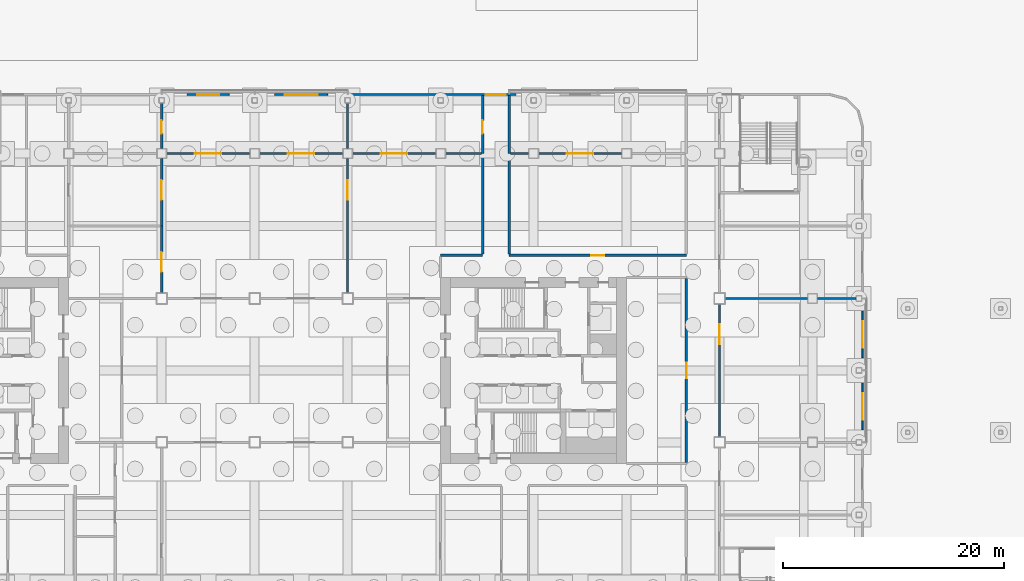
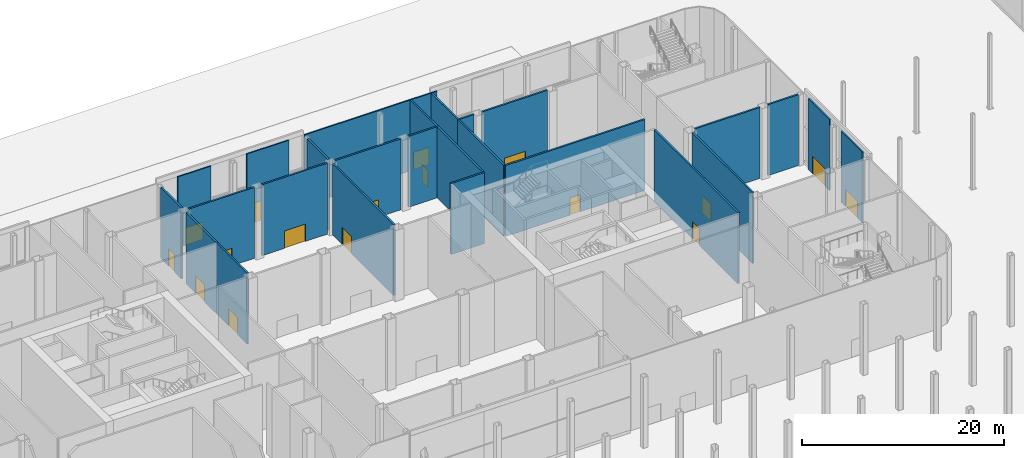
# One storey, part 42 of 113: 26 walls, 17 doors, 17 openings.
"""IFC4 building model written with IfcOpenShell, lengths in metres."""

from ifc_helpers import new_model, si_unit, direction, frame, frame_2d, origin, place, context, subcontext, project, spatial, rectangle, extrude, material, layer, layer_set, type_object, element, fill, save


model = new_model("IFC4")

# Units and contexts
model_context = context("Model", 3, precision=1e-05, world=origin(), true_north=direction((0.0, 1.0)))
body_context = subcontext(model_context, "Body", "Model", "MODEL_VIEW")
ifc_project = project(units=[si_unit("LENGTHUNIT", "METRE"), si_unit("AREAUNIT", "SQUARE_METRE"), si_unit("VOLUMEUNIT", "CUBIC_METRE"), si_unit("PLANEANGLEUNIT", "RADIAN"), si_unit("MASSUNIT", "GRAM", prefix="KILO")], contexts=[model_context])

# Site, building, storey
site_placement = place(None, origin())
site = spatial("IfcSite", under=ifc_project, at=site_placement, CompositionType="ELEMENT")
building_placement = place(site_placement, origin())
building = spatial("IfcBuilding", under=site, at=building_placement, Name="Hakoniwa Tower and Hamabe Station Hall", CompositionType="ELEMENT")
storey_placement = place(building_placement, origin())
storey = spatial("IfcBuildingStorey", under=building, at=storey_placement, Name="L01", CompositionType="ELEMENT", Elevation=0.0)

# Wall, opening, door
ifc_material_1 = material(Name="Dark glass-faced aluminium panel", Category="aluminium")
ifc_layer_1 = layer(ifc_material_1, 0.14990234375)
ifc_layer_set_1 = layer_set([ifc_layer_1], Name="EXTERNAL WALL 150 EI 60")
wall_type_1 = type_object("IfcWallType", Name="EXTERNAL WALL 150 EI 60", PredefinedType="STANDARD", material=ifc_layer_set_1)
wall_1_placement = place(storey_placement, frame((-6.10009765625, 24.925048828125, 0.0), z_axis=(0.0, 0.0, 1.0), x_axis=(1.0, 0.0, 0.0)))
wall_1 = element("IfcWall", 1, at=wall_1_placement, inside=storey, type_object=wall_type_1, Name="External wall L01 12-4", PredefinedType="STANDARD", context=body_context, shape_type="SweptSolid", body=[
    extrude(rectangle(XDim=3.800048828125, YDim=0.14990234375, at=frame_2d((1.89990234375, 0.0))), origin(), (0.0, 0.0, 1.0), 8.60009765625),
])
opening_1_placement = place(wall_1_placement, frame((0.89990234375, 0.0, 0.0)))
opening_1 = element("IfcOpeningElement", 2, at=opening_1_placement, cuts=wall_1, Name="Opening ED-N-01", PredefinedType="OPENING", context=body_context, shape_type="SweptSolid", body=[
    extrude(rectangle(XDim=2.0, YDim=2.10009765625, at=frame_2d((1.0, 1.050048828125))), frame((0.0, 0.0849609375, 0.0), z_axis=(0.0, -1.0, 0.0), x_axis=(1.0, 0.0, 0.0)), (0.0, 0.0, 1.0), 0.169921875),
])
ifc_material_2 = material(Name="Glazed aluminium door", Category="aluminium")
door_type_1 = type_object("IfcDoorType", Name="DOUBLE GLAZED DOOR 2000X2100", OperationType="DOUBLE_DOOR_DOUBLE_SWING", PredefinedType="DOOR", material=ifc_material_2)
door_1_placement = place(opening_1_placement, origin())
door_1 = element("IfcDoor", 3, at=door_1_placement, inside=storey, type_object=door_type_1, Name="Entrance door", OperationType="DOUBLE_DOOR_DOUBLE_SWING", OverallHeight=2.10009765625, OverallWidth=2.0, PredefinedType="DOOR", context=body_context, shape_type="SweptSolid", body=[
    extrude(rectangle(XDim=2.0, YDim=2.10009765625, at=frame_2d((1.0, 1.050048828125))), frame((0.0, 0.02490234375, 0.0), z_axis=(0.0, -1.0, 0.0), x_axis=(1.0, 0.0, 0.0)), (0.0, 0.0, 1.0), 0.050048828125),
])
fill(opening_1, door_1)

wall_2_placement = place(storey_placement, frame((1.800048828125, 24.925048828125, 0.0), z_axis=(0.0, 0.0, 1.0), x_axis=(1.0, 0.0, 0.0)))
wall_2 = element("IfcWall", 4, at=wall_2_placement, inside=storey, type_object=wall_type_1, Name="External wall L01 12-5", PredefinedType="STANDARD", context=body_context, shape_type="SweptSolid", body=[
    extrude(rectangle(XDim=4.800048828125, YDim=0.14990234375, at=frame_2d((2.39990234375, 0.0))), origin(), (0.0, 0.0, 1.0), 8.60009765625),
])
opening_2_placement = place(wall_2_placement, frame((0.89990234375, 0.0, 0.0)))
opening_2 = element("IfcOpeningElement", 5, at=opening_2_placement, cuts=wall_2, Name="Opening ED-N-02", PredefinedType="OPENING", context=body_context, shape_type="SweptSolid", body=[
    extrude(rectangle(XDim=3.0, YDim=2.39990234375, at=frame_2d((1.5, 1.199951171875))), frame((0.0, 0.0849609375, 0.0), z_axis=(0.0, -1.0, 0.0), x_axis=(1.0, 0.0, 0.0)), (0.0, 0.0, 1.0), 0.169921875),
])
ifc_material_3 = material(Name="Glazed aluminium door", Category="aluminium")
door_type_2 = type_object("IfcDoorType", Name="REVOLVING DOOR 3000X2400", OperationType="REVOLVING", PredefinedType="DOOR", material=ifc_material_3)
door_2_placement = place(opening_2_placement, origin())
door_2 = element("IfcDoor", 6, at=door_2_placement, inside=storey, type_object=door_type_2, Name="Entrance door", OperationType="REVOLVING", OverallHeight=2.39990234375, OverallWidth=3.0, PredefinedType="DOOR", context=body_context, shape_type="SweptSolid", body=[
    extrude(rectangle(XDim=3.0, YDim=2.39990234375, at=frame_2d((1.5, 1.199951171875))), frame((0.0, 0.02490234375, 0.0), z_axis=(0.0, -1.0, 0.0), x_axis=(1.0, 0.0, 0.0)), (0.0, 0.0, 1.0), 0.050048828125),
])
fill(opening_2, door_2)

wall_3_placement = place(storey_placement, frame((8.39990234375, 24.925048828125, 0.0), z_axis=(0.0, 0.0, 1.0), x_axis=(1.0, 0.0, 0.0)))
wall_3 = element("IfcWall", 7, at=wall_3_placement, inside=storey, type_object=wall_type_1, Name="External wall L01 12-6", PredefinedType="STANDARD", context=body_context, shape_type="SweptSolid", body=[
    extrude(rectangle(XDim=15.2001953125, YDim=0.14990234375, at=frame_2d((7.60009765625, 0.0))), origin(), (0.0, 0.0, 1.0), 8.60009765625),
])
opening_3_placement = place(wall_3_placement, frame((12.5, 0.0, 0.0)))
opening_3 = element("IfcOpeningElement", 8, at=opening_3_placement, cuts=wall_3, Name="Opening ED-N-08", PredefinedType="OPENING", context=body_context, shape_type="SweptSolid", body=[
    extrude(rectangle(XDim=1.800048828125, YDim=2.10009765625, at=frame_2d((0.89990234375, 1.050048828125))), frame((0.0, 0.0849609375, 0.0), z_axis=(0.0, -1.0, 0.0), x_axis=(1.0, 0.0, 0.0)), (0.0, 0.0, 1.0), 0.169921875),
])
ifc_material_4 = material(Name="Timber door leaf", Category="wood")
door_type_3 = type_object("IfcDoorType", Name="DOUBLE DOOR 1800X2100", OperationType="DOUBLE_DOOR_SINGLE_SWING", PredefinedType="DOOR", material=ifc_material_4)
door_3_placement = place(opening_3_placement, origin())
door_3 = element("IfcDoor", 9, at=door_3_placement, inside=storey, type_object=door_type_3, Name="Entrance door", OperationType="DOUBLE_DOOR_SINGLE_SWING", OverallHeight=2.10009765625, OverallWidth=1.800048828125, PredefinedType="DOOR", context=body_context, shape_type="SweptSolid", body=[
    extrude(rectangle(XDim=1.800048828125, YDim=2.10009765625, at=frame_2d((0.89990234375, 1.050048828125))), frame((0.0, 0.02490234375, 0.0), z_axis=(0.0, -1.0, 0.0), x_axis=(1.0, 0.0, 0.0)), (0.0, 0.0, 1.0), 0.050048828125),
])
fill(opening_3, door_3)

wall_4_placement = place(storey_placement, frame((54.925048828125, 5.35009765625, 0.0), z_axis=(0.0, 0.0, 1.0), x_axis=(0.0, -1.0, 0.0)))
wall_4 = element("IfcWall", 10, at=wall_4_placement, inside=storey, type_object=wall_type_1, Name="External wall L01 16-2", PredefinedType="STANDARD", context=body_context, shape_type="SweptSolid", body=[
    extrude(rectangle(XDim=4.2001953125, YDim=0.14990234375, at=frame_2d((2.10009765625, 0.0))), origin(), (0.0, 0.0, 1.0), 8.60009765625),
])
opening_4_placement = place(wall_4_placement, frame((0.89990234375, 0.0, 0.0)))
opening_4 = element("IfcOpeningElement", 11, at=opening_4_placement, cuts=wall_4, Name="Opening ED-E-03", PredefinedType="OPENING", context=body_context, shape_type="SweptSolid", body=[
    extrude(rectangle(XDim=2.39990234375, YDim=2.10009765625, at=frame_2d((1.199951171875, 1.050048828125))), frame((0.0, 0.0849609375, 0.0), z_axis=(0.0, -1.0, 0.0), x_axis=(1.0, 0.0, 0.0)), (0.0, 0.0, 1.0), 0.169921875),
])
ifc_material_5 = material(Name="Glazed aluminium door", Category="aluminium")
door_type_4 = type_object("IfcDoorType", Name="DOUBLE GLAZED DOOR 2400X2100", OperationType="DOUBLE_DOOR_DOUBLE_SWING", PredefinedType="DOOR", material=ifc_material_5)
door_4_placement = place(opening_4_placement, origin())
door_4 = element("IfcDoor", 12, at=door_4_placement, inside=storey, type_object=door_type_4, Name="Entrance door", OperationType="DOUBLE_DOOR_DOUBLE_SWING", OverallHeight=2.10009765625, OverallWidth=2.39990234375, PredefinedType="DOOR", context=body_context, shape_type="SweptSolid", body=[
    extrude(rectangle(XDim=2.39990234375, YDim=2.10009765625, at=frame_2d((1.199951171875, 1.050048828125))), frame((0.0, 0.02490234375, 0.0), z_axis=(0.0, -1.0, 0.0), x_axis=(1.0, 0.0, 0.0)), (0.0, 0.0, 1.0), 0.050048828125),
])
fill(opening_4, door_4)

wall_5_placement = place(storey_placement, frame((54.925048828125, -1.14990234375, 0.0), z_axis=(0.0, 0.0, 1.0), x_axis=(0.0, -1.0, 0.0)))
wall_5 = element("IfcWall", 13, at=wall_5_placement, inside=storey, type_object=wall_type_1, Name="External wall L01 16-3", PredefinedType="STANDARD", context=body_context, shape_type="SweptSolid", body=[
    extrude(rectangle(XDim=4.2001953125, YDim=0.14990234375, at=frame_2d((2.10009765625, 0.0))), origin(), (0.0, 0.0, 1.0), 8.60009765625),
])
opening_5_placement = place(wall_5_placement, frame((0.89990234375, 0.0, 0.0)))
opening_5 = element("IfcOpeningElement", 14, at=opening_5_placement, cuts=wall_5, Name="Opening ED-E-04", PredefinedType="OPENING", context=body_context, shape_type="SweptSolid", body=[
    extrude(rectangle(XDim=2.39990234375, YDim=2.10009765625, at=frame_2d((1.199951171875, 1.050048828125))), frame((0.0, 0.0849609375, 0.0), z_axis=(0.0, -1.0, 0.0), x_axis=(1.0, 0.0, 0.0)), (0.0, 0.0, 1.0), 0.169921875),
])
door_5_placement = place(opening_5_placement, origin())
door_5 = element("IfcDoor", 15, at=door_5_placement, inside=storey, type_object=door_type_4, Name="Entrance door", OperationType="DOUBLE_DOOR_DOUBLE_SWING", OverallHeight=2.10009765625, OverallWidth=2.39990234375, PredefinedType="DOOR", context=body_context, shape_type="SweptSolid", body=[
    extrude(rectangle(XDim=2.39990234375, YDim=2.10009765625, at=frame_2d((1.199951171875, 1.050048828125))), frame((0.0, 0.02490234375, 0.0), z_axis=(0.0, -1.0, 0.0), x_axis=(1.0, 0.0, 0.0)), (0.0, 0.0, 1.0), 0.050048828125),
])
fill(opening_5, door_5)

ifc_material_6 = material(Name="Fire-rated gypsum board partition")
ifc_layer_2 = layer(ifc_material_6, 0.199951171875)
ifc_layer_set_2 = layer_set([ifc_layer_2], Name="FIRE PARTITION 200 EI 60")
wall_type_2 = type_object("IfcWallType", Name="FIRE PARTITION 200 EI 60", PredefinedType="PARTITIONING", material=ifc_layer_set_2)
wall_6_placement = place(storey_placement, frame((-8.39990234375, 20.050048828125, 0.0), z_axis=(0.0, 0.0, 1.0), x_axis=(0.0, 1.0, 0.0)))
wall_6 = element("IfcWall", 16, at=wall_6_placement, inside=storey, type_object=wall_type_2, Name="Wall Arrival Vestibule / Reception Back Office", PredefinedType="PARTITIONING", context=body_context, shape_type="SweptSolid", body=[
    extrude(rectangle(XDim=4.099853515625, YDim=0.199951171875, at=frame_2d((2.0498046875, 0.0))), origin(), (0.0, 0.0, 1.0), 8.60009765625),
])
opening_6_placement = place(wall_6_placement, frame((1.35009765625, 0.0, 0.0)))
opening_6 = element("IfcOpeningElement", 17, at=opening_6_placement, cuts=wall_6, Name="Opening PD-L01-007", PredefinedType="OPENING", context=body_context, shape_type="SweptSolid", body=[
    extrude(rectangle(XDim=1.199951171875, YDim=2.10009765625, at=frame_2d((0.60009765625, 1.050048828125))), frame((0.0, 0.10986328125, 0.0), z_axis=(0.0, -1.0, 0.0), x_axis=(1.0, 0.0, 0.0)), (0.0, 0.0, 1.0), 0.219970703125),
])
ifc_material_7 = material(Name="Timber door leaf", Category="wood")
door_type_5 = type_object("IfcDoorType", Name="SINGLE DOOR 1200X2100", OperationType="SINGLE_SWING_LEFT", PredefinedType="DOOR", material=ifc_material_7)
door_6_placement = place(opening_6_placement, origin())
door_6 = element("IfcDoor", 18, at=door_6_placement, inside=storey, type_object=door_type_5, Name="Door PD-L01-007", OperationType="SINGLE_SWING_RIGHT", OverallHeight=2.10009765625, OverallWidth=1.199951171875, PredefinedType="DOOR", context=body_context, shape_type="SweptSolid", body=[
    extrude(rectangle(XDim=1.199951171875, YDim=2.10009765625, at=frame_2d((0.60009765625, 1.050048828125))), frame((0.0, 0.02490234375, 0.0), z_axis=(0.0, -1.0, 0.0), x_axis=(1.0, 0.0, 0.0)), (0.0, 0.0, 1.0), 0.050048828125),
])
fill(opening_6, door_6)

# Wall
wall_7_placement = place(storey_placement, frame((8.39990234375, 24.14990234375, 0.0), z_axis=(0.0, 0.0, 1.0), x_axis=(0.0, -1.0, 0.0)))
element("IfcWall", 19, at=wall_7_placement, inside=storey, type_object=wall_type_2, Name="Wall Arrival Vestibule / Hotel Lounge Gallery", PredefinedType="PARTITIONING", context=body_context, shape_type="SweptSolid", body=[
    extrude(rectangle(XDim=4.099853515625, YDim=0.199951171875, at=frame_2d((2.0498046875, 0.0))), origin(), (0.0, 0.0, 1.0), 8.60009765625),
])

# Wall, opening, door
wall_8_placement = place(storey_placement, frame((42.0, 6.0, 0.0), z_axis=(0.0, 0.0, 1.0), x_axis=(0.0, -1.0, 0.0)))
wall_8 = element("IfcWall", 20, at=wall_8_placement, inside=storey, type_object=wall_type_2, Name="Wall East Service Corridor / Arcade Passage Lobby", PredefinedType="PARTITIONING", context=body_context, shape_type="SweptSolid", body=[
    extrude(rectangle(XDim=12.0, YDim=0.199951171875, at=frame_2d((6.0, 0.0))), origin(), (0.0, 0.0, 1.0), 8.60009765625),
])
opening_7_placement = place(wall_8_placement, frame((1.85009765625, 0.0, 0.0)))
opening_7 = element("IfcOpeningElement", 21, at=opening_7_placement, cuts=wall_8, Name="Opening PD-L01-046", PredefinedType="OPENING", context=body_context, shape_type="SweptSolid", body=[
    extrude(rectangle(XDim=1.800048828125, YDim=2.10009765625, at=frame_2d((0.89990234375, 1.050048828125))), frame((0.0, 0.10986328125, 0.0), z_axis=(0.0, -1.0, 0.0), x_axis=(1.0, 0.0, 0.0)), (0.0, 0.0, 1.0), 0.219970703125),
])
ifc_material_8 = material(Name="Steel fire door", Category="steel")
door_type_6 = type_object("IfcDoorType", Name="FIRE DOUBLE DOOR 1800X2100 FD60", OperationType="DOUBLE_DOOR_SINGLE_SWING", PredefinedType="DOOR", material=ifc_material_8)
door_7_placement = place(opening_7_placement, origin())
door_7 = element("IfcDoor", 22, at=door_7_placement, inside=storey, type_object=door_type_6, Name="Door PD-L01-046", OperationType="DOUBLE_DOOR_SINGLE_SWING", OverallHeight=2.10009765625, OverallWidth=1.800048828125, PredefinedType="DOOR", context=body_context, shape_type="SweptSolid", body=[
    extrude(rectangle(XDim=1.800048828125, YDim=2.10009765625, at=frame_2d((0.89990234375, 1.050048828125))), frame((0.0, 0.02490234375, 0.0), z_axis=(0.0, -1.0, 0.0), x_axis=(1.0, 0.0, 0.0)), (0.0, 0.0, 1.0), 0.050048828125),
])
fill(opening_7, door_7)

# Walls
wall_9_placement = place(storey_placement, frame((16.800048828125, 10.39990234375, 0.0), z_axis=(0.0, 0.0, 1.0), x_axis=(1.0, 0.0, 0.0)))
element("IfcWall", 23, at=wall_9_placement, inside=storey, type_object=wall_type_2, Name="Wall East Service Corridor / Hotel Lounge", PredefinedType="PARTITIONING", context=body_context, shape_type="SweptSolid", body=[
    extrude(rectangle(XDim=3.800048828125, YDim=0.199951171875, at=frame_2d((1.89990234375, 0.0))), origin(), (0.0, 0.0, 1.0), 8.60009765625),
])
wall_10_placement = place(storey_placement, frame((20.60009765625, 10.5, 0.0), z_axis=(0.0, 0.0, 1.0), x_axis=(0.0, 1.0, 0.0)))
element("IfcWall", 24, at=wall_10_placement, inside=storey, type_object=wall_type_2, Name="Wall East Service Corridor / Hotel Lounge", PredefinedType="PARTITIONING", context=body_context, shape_type="SweptSolid", body=[
    extrude(rectangle(XDim=9.10009765625, YDim=0.199951171875, at=frame_2d((4.550048828125, 0.0))), origin(), (0.0, 0.0, 1.0), 8.60009765625),
])

# Wall, opening, door
wall_11_placement = place(storey_placement, frame((20.60009765625, 19.60009765625, 0.0), z_axis=(0.0, 0.0, 1.0), x_axis=(0.0, 1.0, 0.0)))
wall_11 = element("IfcWall", 25, at=wall_11_placement, inside=storey, type_object=wall_type_2, Name="Wall East Service Corridor / Hotel Lounge Gallery", PredefinedType="PARTITIONING", context=body_context, shape_type="SweptSolid", body=[
    extrude(rectangle(XDim=5.25, YDim=0.199951171875, at=frame_2d((2.625, 0.0))), origin(), (0.0, 0.0, 1.0), 8.60009765625),
])
opening_8_placement = place(wall_11_placement, frame((1.800048828125, 0.0, 0.0)))
opening_8 = element("IfcOpeningElement", 26, at=opening_8_placement, cuts=wall_11, Name="Opening PD-L01-013", PredefinedType="OPENING", context=body_context, shape_type="SweptSolid", body=[
    extrude(rectangle(XDim=1.199951171875, YDim=2.10009765625, at=frame_2d((0.60009765625, 1.050048828125))), frame((0.0, 0.10986328125, 0.0), z_axis=(0.0, -1.0, 0.0), x_axis=(1.0, 0.0, 0.0)), (0.0, 0.0, 1.0), 0.219970703125),
])
ifc_material_9 = material(Name="Steel fire door", Category="steel")
door_type_7 = type_object("IfcDoorType", Name="FIRE DOOR 1200X2100 FD60", OperationType="SINGLE_SWING_LEFT", PredefinedType="DOOR", material=ifc_material_9)
door_8_placement = place(opening_8_placement, origin())
door_8 = element("IfcDoor", 27, at=door_8_placement, inside=storey, type_object=door_type_7, Name="Door PD-L01-013", OperationType="SINGLE_SWING_LEFT", OverallHeight=2.10009765625, OverallWidth=1.199951171875, PredefinedType="DOOR", context=body_context, shape_type="SweptSolid", body=[
    extrude(rectangle(XDim=1.199951171875, YDim=2.10009765625, at=frame_2d((0.60009765625, 1.050048828125))), frame((0.0, 0.02490234375, 0.0), z_axis=(0.0, -1.0, 0.0), x_axis=(1.0, 0.0, 0.0)), (0.0, 0.0, 1.0), 0.050048828125),
])
fill(opening_8, door_8)

wall_12_placement = place(storey_placement, frame((23.0, 10.39990234375, 0.0), z_axis=(0.0, 0.0, 1.0), x_axis=(1.0, 0.0, 0.0)))
wall_12 = element("IfcWall", 28, at=wall_12_placement, inside=storey, type_object=wall_type_2, Name="Wall East Service Corridor / Umi Restaurant", PredefinedType="PARTITIONING", context=body_context, shape_type="SweptSolid", body=[
    extrude(rectangle(XDim=16.0, YDim=0.199951171875, at=frame_2d((8.0, 0.0))), origin(), (0.0, 0.0, 1.0), 8.60009765625),
])
opening_9_placement = place(wall_12_placement, frame((7.39990234375, 0.0, 0.0)))
opening_9 = element("IfcOpeningElement", 29, at=opening_9_placement, cuts=wall_12, Name="Opening PD-L01-040", PredefinedType="OPENING", context=body_context, shape_type="SweptSolid", body=[
    extrude(rectangle(XDim=1.199951171875, YDim=2.10009765625, at=frame_2d((0.60009765625, 1.050048828125))), frame((0.0, 0.10986328125, 0.0), z_axis=(0.0, -1.0, 0.0), x_axis=(1.0, 0.0, 0.0)), (0.0, 0.0, 1.0), 0.219970703125),
])
door_9_placement = place(opening_9_placement, origin())
door_9 = element("IfcDoor", 30, at=door_9_placement, inside=storey, type_object=door_type_7, Name="Door PD-L01-040", OperationType="SINGLE_SWING_RIGHT", OverallHeight=2.10009765625, OverallWidth=1.199951171875, PredefinedType="DOOR", context=body_context, shape_type="SweptSolid", body=[
    extrude(rectangle(XDim=1.199951171875, YDim=2.10009765625, at=frame_2d((0.60009765625, 1.050048828125))), frame((0.0, 0.02490234375, 0.0), z_axis=(0.0, -1.0, 0.0), x_axis=(1.0, 0.0, 0.0)), (0.0, 0.0, 1.0), 0.050048828125),
])
fill(opening_9, door_9)

# Walls
wall_13_placement = place(storey_placement, frame((23.0, 19.60009765625, 0.0), z_axis=(0.0, 0.0, 1.0), x_axis=(0.0, -1.0, 0.0)))
element("IfcWall", 31, at=wall_13_placement, inside=storey, type_object=wall_type_2, Name="Wall East Service Corridor / Umi Restaurant", PredefinedType="PARTITIONING", context=body_context, shape_type="SweptSolid", body=[
    extrude(rectangle(XDim=9.10009765625, YDim=0.199951171875, at=frame_2d((4.550048828125, 0.0))), origin(), (0.0, 0.0, 1.0), 8.60009765625),
])
wall_14_placement = place(storey_placement, frame((23.0, 24.85009765625, 0.0), z_axis=(0.0, 0.0, 1.0), x_axis=(0.0, -1.0, 0.0)))
element("IfcWall", 32, at=wall_14_placement, inside=storey, type_object=wall_type_2, Name="Wall East Service Corridor / Umi Entrance Gallery", PredefinedType="PARTITIONING", context=body_context, shape_type="SweptSolid", body=[
    extrude(rectangle(XDim=5.25, YDim=0.199951171875, at=frame_2d((2.625, 0.0))), origin(), (0.0, 0.0, 1.0), 8.60009765625),
])

# Wall, opening, door
wall_15_placement = place(storey_placement, frame((39.0, -8.300048828125, 0.0), z_axis=(0.0, 0.0, 1.0), x_axis=(0.0, 1.0, 0.0)))
wall_15 = element("IfcWall", 33, at=wall_15_placement, inside=storey, type_object=wall_type_2, Name="Wall East Service Corridor / Restaurant Store", PredefinedType="PARTITIONING", context=body_context, shape_type="SweptSolid", body=[
    extrude(rectangle(XDim=16.60009765625, YDim=0.199951171875, at=frame_2d((8.300048828125, 0.0))), origin(), (0.0, 0.0, 1.0), 8.60009765625),
])
opening_10_placement = place(wall_15_placement, frame((7.60009765625, 0.0, 0.0)))
opening_10 = element("IfcOpeningElement", 34, at=opening_10_placement, cuts=wall_15, Name="Opening PD-L01-041", PredefinedType="OPENING", context=body_context, shape_type="SweptSolid", body=[
    extrude(rectangle(XDim=1.39990234375, YDim=2.10009765625, at=frame_2d((0.699951171875, 1.050048828125))), frame((0.0, 0.10986328125, 0.0), z_axis=(0.0, -1.0, 0.0), x_axis=(1.0, 0.0, 0.0)), (0.0, 0.0, 1.0), 0.219970703125),
])
ifc_material_10 = material(Name="Steel fire door", Category="steel")
door_type_8 = type_object("IfcDoorType", Name="FIRE DOOR 1400X2100 FD60", OperationType="SINGLE_SWING_LEFT", PredefinedType="DOOR", material=ifc_material_10)
door_10_placement = place(opening_10_placement, origin())
door_10 = element("IfcDoor", 35, at=door_10_placement, inside=storey, type_object=door_type_8, Name="Door PD-L01-041", OperationType="SINGLE_SWING_LEFT", OverallHeight=2.10009765625, OverallWidth=1.39990234375, PredefinedType="DOOR", context=body_context, shape_type="SweptSolid", body=[
    extrude(rectangle(XDim=1.39990234375, YDim=2.10009765625, at=frame_2d((0.699951171875, 1.050048828125))), frame((0.0, 0.02490234375, 0.0), z_axis=(0.0, -1.0, 0.0), x_axis=(1.0, 0.0, 0.0)), (0.0, 0.0, 1.0), 0.050048828125),
])
fill(opening_10, door_10)

wall_16_placement = place(storey_placement, frame((8.85009765625, 19.60009765625, 0.0), z_axis=(0.0, 0.0, 1.0), x_axis=(1.0, 0.0, 0.0)))
wall_16 = element("IfcWall", 36, at=wall_16_placement, inside=storey, type_object=wall_type_2, Name="Wall Hotel Lounge / Hotel Lounge Gallery", PredefinedType="PARTITIONING", context=body_context, shape_type="SweptSolid", body=[
    extrude(rectangle(XDim=7.5, YDim=0.199951171875, at=frame_2d((3.75, 0.0))), origin(), (0.0, 0.0, 1.0), 8.60009765625),
])
opening_11_placement = place(wall_16_placement, frame((2.550048828125, 0.0, 0.0)))
opening_11 = element("IfcOpeningElement", 37, at=opening_11_placement, cuts=wall_16, Name="Opening PD-L01-012", PredefinedType="OPENING", context=body_context, shape_type="SweptSolid", body=[
    extrude(rectangle(XDim=2.39990234375, YDim=2.10009765625, at=frame_2d((1.199951171875, 1.050048828125))), frame((0.0, 0.10986328125, 0.0), z_axis=(0.0, -1.0, 0.0), x_axis=(1.0, 0.0, 0.0)), (0.0, 0.0, 1.0), 0.219970703125),
])
door_11_placement = place(opening_11_placement, origin())
door_11 = element("IfcDoor", 38, at=door_11_placement, inside=storey, type_object=door_type_4, Name="Door PD-L01-012", OperationType="DOUBLE_DOOR_DOUBLE_SWING", OverallHeight=2.10009765625, OverallWidth=2.39990234375, PredefinedType="DOOR", context=body_context, shape_type="SweptSolid", body=[
    extrude(rectangle(XDim=2.39990234375, YDim=2.10009765625, at=frame_2d((1.199951171875, 1.050048828125))), frame((0.0, 0.02490234375, 0.0), z_axis=(0.0, -1.0, 0.0), x_axis=(1.0, 0.0, 0.0)), (0.0, 0.0, 1.0), 0.050048828125),
])
fill(opening_11, door_11)

# Wall
wall_17_placement = place(storey_placement, frame((17.25, 19.60009765625, 0.0), z_axis=(0.0, 0.0, 1.0), x_axis=(1.0, 0.0, 0.0)))
element("IfcWall", 39, at=wall_17_placement, inside=storey, type_object=wall_type_2, Name="Wall Hotel Lounge / Hotel Lounge Gallery", PredefinedType="PARTITIONING", context=body_context, shape_type="SweptSolid", body=[
    extrude(rectangle(XDim=3.25, YDim=0.199951171875, at=frame_2d((1.625, 0.0))), origin(), (0.0, 0.0, 1.0), 8.60009765625),
])

# Wall, opening, door
wall_18_placement = place(storey_placement, frame((-7.949951171875, 19.60009765625, 0.0), z_axis=(0.0, 0.0, 1.0), x_axis=(1.0, 0.0, 0.0)))
wall_18 = element("IfcWall", 40, at=wall_18_placement, inside=storey, type_object=wall_type_2, Name="Wall Arrival Lobby / Arrival Vestibule", PredefinedType="PARTITIONING", context=body_context, shape_type="SweptSolid", body=[
    extrude(rectangle(XDim=7.5, YDim=0.199951171875, at=frame_2d((3.75, 0.0))), origin(), (0.0, 0.0, 1.0), 8.60009765625),
])
opening_12_placement = place(wall_18_placement, frame((2.550048828125, 0.0, 0.0)))
opening_12 = element("IfcOpeningElement", 41, at=opening_12_placement, cuts=wall_18, Name="Opening PD-L01-008", PredefinedType="OPENING", context=body_context, shape_type="SweptSolid", body=[
    extrude(rectangle(XDim=2.39990234375, YDim=2.10009765625, at=frame_2d((1.199951171875, 1.050048828125))), frame((0.0, 0.10986328125, 0.0), z_axis=(0.0, -1.0, 0.0), x_axis=(1.0, 0.0, 0.0)), (0.0, 0.0, 1.0), 0.219970703125),
])
door_12_placement = place(opening_12_placement, origin())
door_12 = element("IfcDoor", 42, at=door_12_placement, inside=storey, type_object=door_type_4, Name="Door PD-L01-008", OperationType="DOUBLE_DOOR_DOUBLE_SWING", OverallHeight=2.10009765625, OverallWidth=2.39990234375, PredefinedType="DOOR", context=body_context, shape_type="SweptSolid", body=[
    extrude(rectangle(XDim=2.39990234375, YDim=2.10009765625, at=frame_2d((1.199951171875, 1.050048828125))), frame((0.0, 0.02490234375, 0.0), z_axis=(0.0, -1.0, 0.0), x_axis=(1.0, 0.0, 0.0)), (0.0, 0.0, 1.0), 0.050048828125),
])
fill(opening_12, door_12)

wall_19_placement = place(storey_placement, frame((0.449951171875, 19.60009765625, 0.0), z_axis=(0.0, 0.0, 1.0), x_axis=(1.0, 0.0, 0.0)))
wall_19 = element("IfcWall", 43, at=wall_19_placement, inside=storey, type_object=wall_type_2, Name="Wall Arrival Lobby / Arrival Vestibule", PredefinedType="PARTITIONING", context=body_context, shape_type="SweptSolid", body=[
    extrude(rectangle(XDim=7.5, YDim=0.199951171875, at=frame_2d((3.75, 0.0))), origin(), (0.0, 0.0, 1.0), 8.60009765625),
])
opening_13_placement = place(wall_19_placement, frame((2.550048828125, 0.0, 0.0)))
opening_13 = element("IfcOpeningElement", 44, at=opening_13_placement, cuts=wall_19, Name="Opening PD-L01-009", PredefinedType="OPENING", context=body_context, shape_type="SweptSolid", body=[
    extrude(rectangle(XDim=2.39990234375, YDim=2.10009765625, at=frame_2d((1.199951171875, 1.050048828125))), frame((0.0, 0.10986328125, 0.0), z_axis=(0.0, -1.0, 0.0), x_axis=(1.0, 0.0, 0.0)), (0.0, 0.0, 1.0), 0.219970703125),
])
door_13_placement = place(opening_13_placement, origin())
door_13 = element("IfcDoor", 45, at=door_13_placement, inside=storey, type_object=door_type_4, Name="Door PD-L01-009", OperationType="DOUBLE_DOOR_DOUBLE_SWING", OverallHeight=2.10009765625, OverallWidth=2.39990234375, PredefinedType="DOOR", context=body_context, shape_type="SweptSolid", body=[
    extrude(rectangle(XDim=2.39990234375, YDim=2.10009765625, at=frame_2d((1.199951171875, 1.050048828125))), frame((0.0, 0.02490234375, 0.0), z_axis=(0.0, -1.0, 0.0), x_axis=(1.0, 0.0, 0.0)), (0.0, 0.0, 1.0), 0.050048828125),
])
fill(opening_13, door_13)

wall_20_placement = place(storey_placement, frame((-8.39990234375, 13.050048828125, 0.0), z_axis=(0.0, 0.0, 1.0), x_axis=(0.0, 1.0, 0.0)))
wall_20 = element("IfcWall", 46, at=wall_20_placement, inside=storey, type_object=wall_type_2, Name="Wall Arrival Lobby / Concierge", PredefinedType="PARTITIONING", context=body_context, shape_type="SweptSolid", body=[
    extrude(rectangle(XDim=6.099853515625, YDim=0.199951171875, at=frame_2d((3.0498046875, 0.0))), origin(), (0.0, 0.0, 1.0), 8.60009765625),
])
opening_14_placement = place(wall_20_placement, frame((2.35009765625, 0.0, 0.0)))
opening_14 = element("IfcOpeningElement", 47, at=opening_14_placement, cuts=wall_20, Name="Opening PD-L01-006", PredefinedType="OPENING", context=body_context, shape_type="SweptSolid", body=[
    extrude(rectangle(XDim=1.800048828125, YDim=2.10009765625, at=frame_2d((0.89990234375, 1.050048828125))), frame((0.0, 0.10986328125, 0.0), z_axis=(0.0, -1.0, 0.0), x_axis=(1.0, 0.0, 0.0)), (0.0, 0.0, 1.0), 0.219970703125),
])
ifc_material_11 = material(Name="Glazed aluminium door", Category="aluminium")
door_type_9 = type_object("IfcDoorType", Name="DOUBLE GLAZED DOOR 1800X2100", OperationType="DOUBLE_DOOR_DOUBLE_SWING", PredefinedType="DOOR", material=ifc_material_11)
door_14_placement = place(opening_14_placement, origin())
door_14 = element("IfcDoor", 48, at=door_14_placement, inside=storey, type_object=door_type_9, Name="Door PD-L01-006", OperationType="DOUBLE_DOOR_DOUBLE_SWING", OverallHeight=2.10009765625, OverallWidth=1.800048828125, PredefinedType="DOOR", context=body_context, shape_type="SweptSolid", body=[
    extrude(rectangle(XDim=1.800048828125, YDim=2.10009765625, at=frame_2d((0.89990234375, 1.050048828125))), frame((0.0, 0.02490234375, 0.0), z_axis=(0.0, -1.0, 0.0), x_axis=(1.0, 0.0, 0.0)), (0.0, 0.0, 1.0), 0.050048828125),
])
fill(opening_14, door_14)

wall_21_placement = place(storey_placement, frame((8.39990234375, 19.14990234375, 0.0), z_axis=(0.0, 0.0, 1.0), x_axis=(0.0, -1.0, 0.0)))
wall_21 = element("IfcWall", 49, at=wall_21_placement, inside=storey, type_object=wall_type_2, Name="Wall Arrival Lobby / Hotel Lounge", PredefinedType="PARTITIONING", context=body_context, shape_type="SweptSolid", body=[
    extrude(rectangle(XDim=12.14990234375, YDim=0.199951171875, at=frame_2d((6.074951171875, 0.0))), origin(), (0.0, 0.0, 1.0), 8.60009765625),
])
opening_15_placement = place(wall_21_placement, frame((1.949951171875, 0.0, 0.0)))
opening_15 = element("IfcOpeningElement", 50, at=opening_15_placement, cuts=wall_21, Name="Opening PD-L01-018", PredefinedType="OPENING", context=body_context, shape_type="SweptSolid", body=[
    extrude(rectangle(XDim=1.800048828125, YDim=2.10009765625, at=frame_2d((0.89990234375, 1.050048828125))), frame((0.0, 0.10986328125, 0.0), z_axis=(0.0, -1.0, 0.0), x_axis=(1.0, 0.0, 0.0)), (0.0, 0.0, 1.0), 0.219970703125),
])
door_15_placement = place(opening_15_placement, origin())
door_15 = element("IfcDoor", 51, at=door_15_placement, inside=storey, type_object=door_type_9, Name="Door PD-L01-018", OperationType="DOUBLE_DOOR_DOUBLE_SWING", OverallHeight=2.10009765625, OverallWidth=1.800048828125, PredefinedType="DOOR", context=body_context, shape_type="SweptSolid", body=[
    extrude(rectangle(XDim=1.800048828125, YDim=2.10009765625, at=frame_2d((0.89990234375, 1.050048828125))), frame((0.0, 0.02490234375, 0.0), z_axis=(0.0, -1.0, 0.0), x_axis=(1.0, 0.0, 0.0)), (0.0, 0.0, 1.0), 0.050048828125),
])
fill(opening_15, door_15)

wall_22_placement = place(storey_placement, frame((-8.39990234375, 7.0, 0.0), z_axis=(0.0, 0.0, 1.0), x_axis=(0.0, 1.0, 0.0)))
wall_22 = element("IfcWall", 52, at=wall_22_placement, inside=storey, type_object=wall_type_2, Name="Wall Arrival Lobby / Hotel Reception", PredefinedType="PARTITIONING", context=body_context, shape_type="SweptSolid", body=[
    extrude(rectangle(XDim=6.050048828125, YDim=0.199951171875, at=frame_2d((3.02490234375, 0.0))), origin(), (0.0, 0.0, 1.0), 8.60009765625),
])
opening_16_placement = place(wall_22_placement, frame((1.89990234375, 0.0, 0.0)))
opening_16 = element("IfcOpeningElement", 53, at=opening_16_placement, cuts=wall_22, Name="Opening PD-L01-005", PredefinedType="OPENING", context=body_context, shape_type="SweptSolid", body=[
    extrude(rectangle(XDim=1.800048828125, YDim=2.10009765625, at=frame_2d((0.89990234375, 1.050048828125))), frame((0.0, 0.10986328125, 0.0), z_axis=(0.0, -1.0, 0.0), x_axis=(1.0, 0.0, 0.0)), (0.0, 0.0, 1.0), 0.219970703125),
])
door_16_placement = place(opening_16_placement, origin())
door_16 = element("IfcDoor", 54, at=door_16_placement, inside=storey, type_object=door_type_9, Name="Door PD-L01-005", OperationType="DOUBLE_DOOR_DOUBLE_SWING", OverallHeight=2.10009765625, OverallWidth=1.800048828125, PredefinedType="DOOR", context=body_context, shape_type="SweptSolid", body=[
    extrude(rectangle(XDim=1.800048828125, YDim=2.10009765625, at=frame_2d((0.89990234375, 1.050048828125))), frame((0.0, 0.02490234375, 0.0), z_axis=(0.0, -1.0, 0.0), x_axis=(1.0, 0.0, 0.0)), (0.0, 0.0, 1.0), 0.050048828125),
])
fill(opening_16, door_16)

# Wall
wall_23_placement = place(storey_placement, frame((23.10009765625, 19.60009765625, 0.0), z_axis=(0.0, 0.0, 1.0), x_axis=(1.0, 0.0, 0.0)))
element("IfcWall", 55, at=wall_23_placement, inside=storey, type_object=wall_type_2, Name="Wall Umi Restaurant / Umi Entrance Gallery", PredefinedType="PARTITIONING", context=body_context, shape_type="SweptSolid", body=[
    extrude(rectangle(XDim=1.64990234375, YDim=0.199951171875, at=frame_2d((0.824951171875, 0.0))), origin(), (0.0, 0.0, 1.0), 8.60009765625),
])

# Wall, opening, door
wall_24_placement = place(storey_placement, frame((25.64990234375, 19.60009765625, 0.0), z_axis=(0.0, 0.0, 1.0), x_axis=(1.0, 0.0, 0.0)))
wall_24 = element("IfcWall", 56, at=wall_24_placement, inside=storey, type_object=wall_type_2, Name="Wall Umi Restaurant / Umi Entrance Gallery", PredefinedType="PARTITIONING", context=body_context, shape_type="SweptSolid", body=[
    extrude(rectangle(XDim=7.5, YDim=0.199951171875, at=frame_2d((3.75, 0.0))), origin(), (0.0, 0.0, 1.0), 8.60009765625),
])
opening_17_placement = place(wall_24_placement, frame((2.550048828125, 0.0, 0.0)))
opening_17 = element("IfcOpeningElement", 57, at=opening_17_placement, cuts=wall_24, Name="Opening PD-L01-011", PredefinedType="OPENING", context=body_context, shape_type="SweptSolid", body=[
    extrude(rectangle(XDim=2.39990234375, YDim=2.10009765625, at=frame_2d((1.199951171875, 1.050048828125))), frame((0.0, 0.10986328125, 0.0), z_axis=(0.0, -1.0, 0.0), x_axis=(1.0, 0.0, 0.0)), (0.0, 0.0, 1.0), 0.219970703125),
])
door_17_placement = place(opening_17_placement, origin())
door_17 = element("IfcDoor", 58, at=door_17_placement, inside=storey, type_object=door_type_4, Name="Door PD-L01-011", OperationType="DOUBLE_DOOR_DOUBLE_SWING", OverallHeight=2.10009765625, OverallWidth=2.39990234375, PredefinedType="DOOR", context=body_context, shape_type="SweptSolid", body=[
    extrude(rectangle(XDim=2.39990234375, YDim=2.10009765625, at=frame_2d((1.199951171875, 1.050048828125))), frame((0.0, 0.02490234375, 0.0), z_axis=(0.0, -1.0, 0.0), x_axis=(1.0, 0.0, 0.0)), (0.0, 0.0, 1.0), 0.050048828125),
])
fill(opening_17, door_17)

# Walls
wall_25_placement = place(storey_placement, frame((54.35009765625, 6.5, 0.0), z_axis=(0.0, 0.0, 1.0), x_axis=(-1.0, 0.0, 0.0)))
element("IfcWall", 59, at=wall_25_placement, inside=storey, type_object=wall_type_2, Name="Wall Retail Unit 2 / Arcade Passage Lobby", PredefinedType="PARTITIONING", context=body_context, shape_type="SweptSolid", body=[
    extrude(rectangle(XDim=3.5, YDim=0.199951171875, at=frame_2d((1.75, 0.0))), origin(), (0.0, 0.0, 1.0), 8.60009765625),
])
wall_26_placement = place(storey_placement, frame((49.949951171875, 6.5, 0.0), z_axis=(0.0, 0.0, 1.0), x_axis=(-1.0, 0.0, 0.0)))
element("IfcWall", 60, at=wall_26_placement, inside=storey, type_object=wall_type_2, Name="Wall Retail Unit 2 / Arcade Passage Lobby", PredefinedType="PARTITIONING", context=body_context, shape_type="SweptSolid", body=[
    extrude(rectangle(XDim=7.449951171875, YDim=0.199951171875, at=frame_2d((3.72509765625, 0.0))), origin(), (0.0, 0.0, 1.0), 8.60009765625),
])

save(model, "model.ifc")
